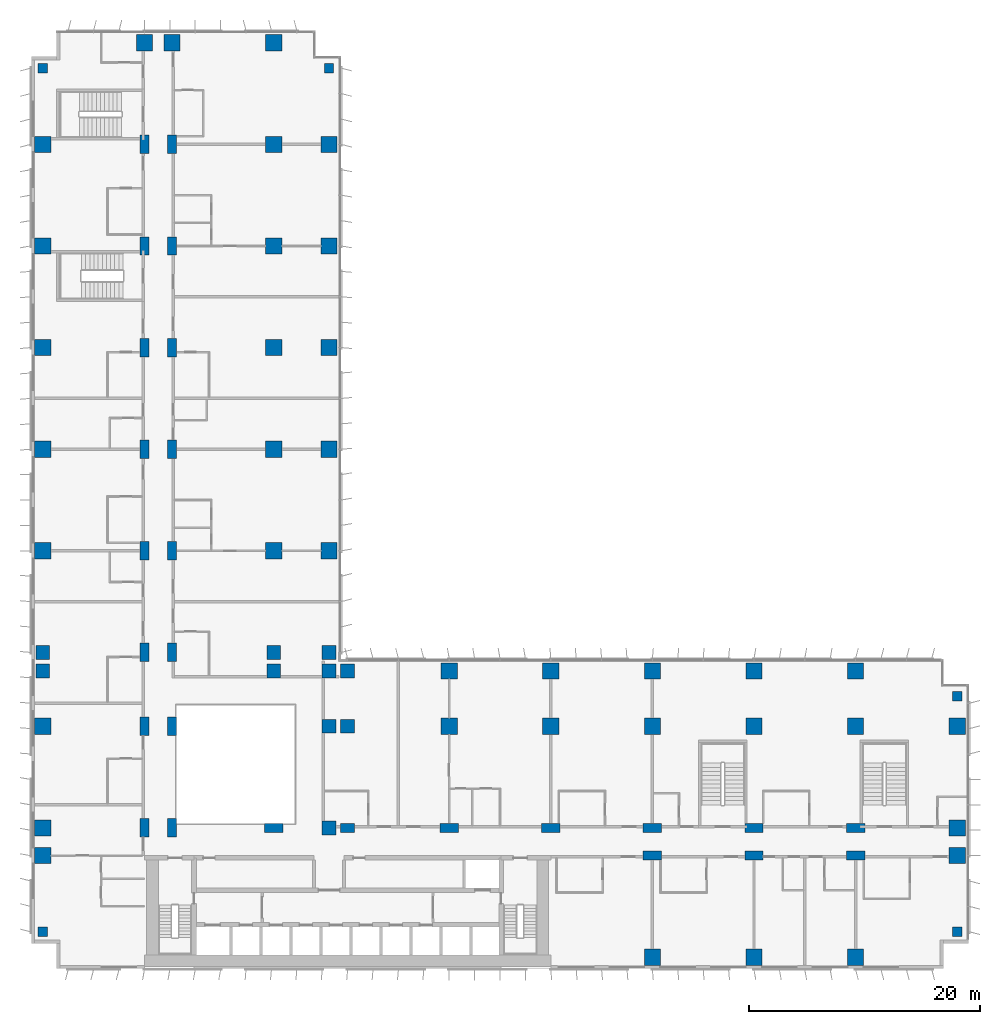
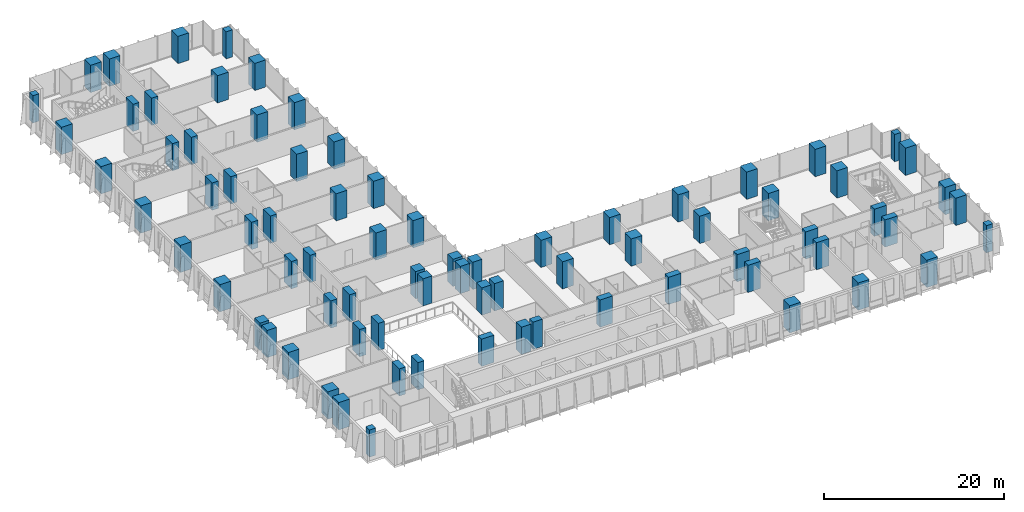
# One storey, part 1 of 24: 78 columns.
"""IFC4 building model written with IfcOpenShell, lengths in metres."""

from ifc_helpers import new_model, si_unit, direction, frame, origin, origin_2d, place, context, subcontext, project, spatial, rectangle, extrude, material, material_profile, profile_set, type_object, element, save


model = new_model("IFC4")

# Units and contexts
model_context = context("Model", 3, precision=1e-05, world=origin(), true_north=direction((0.0, 1.0)))
body_context = subcontext(model_context, "Body", "Model", "MODEL_VIEW")
ifc_project = project(units=[si_unit("LENGTHUNIT", "METRE"), si_unit("AREAUNIT", "SQUARE_METRE"), si_unit("VOLUMEUNIT", "CUBIC_METRE"), si_unit("PLANEANGLEUNIT", "RADIAN"), si_unit("MASSUNIT", "GRAM", prefix="KILO")], contexts=[model_context])

# Site, building, storey
site_placement = place(None, origin())
site = spatial("IfcSite", under=ifc_project, at=site_placement, CompositionType="ELEMENT")
building_placement = place(site_placement, origin())
building = spatial("IfcBuilding", under=site, at=building_placement, Name="Kemantara Hotel Tower", CompositionType="ELEMENT")
storey_placement = place(building_placement, frame((0.0, 0.0, 45.10009765625)))
storey = spatial("IfcBuildingStorey", under=building, at=storey_placement, Name="L09", CompositionType="ELEMENT", Elevation=45.10009765625)

# Columns
ifc_material = material(Name="Concrete fc 70 MPa", Category="concrete")
ifc_material_profile_1 = material_profile(ifc_material, rectangle(XDim=1.199951171875, YDim=1.199951171875, at=origin_2d()), Name="RC 1200X1200")
ifc_profile_set_1 = profile_set([ifc_material_profile_1], Name="Concrete fc 70 MPa")
column_type_1 = type_object("IfcColumnType", Name="RC COLUMN 1200X1200 FC70", PredefinedType="COLUMN", material=ifc_profile_set_1)
for number, where, z_axis, x_axis, name in (
    (1, (1.0, 25.800048828125, 0.0), (0.0, 0.0, 1.0), (1.0, 0.0, 0.0), "COLUMN 1/CA L09"),
    (2, (1.0, 27.39990234375, 0.0), (0.0, 0.0, 1.0), (1.0, 0.0, 0.0), "COLUMN 1/D L09"),
    (3, (21.0, 25.800048828125, 0.0), (0.0, 0.0, 1.0), (1.0, 0.0, 0.0), "COLUMN 3/CA L09"),
    (4, (21.0, 27.39990234375, 0.0), (0.0, 0.0, 1.0), (1.0, 0.0, 0.0), "COLUMN 3/D L09"),
    (5, (25.800048828125, 12.199951171875, 0.0), (0.0, 0.0, 1.0), (1.0, 0.0, 0.0), "COLUMN 3A/BA L09"),
    (6, (25.800048828125, 21.0, 0.0), (0.0, 0.0, 1.0), (1.0, 0.0, 0.0), "COLUMN 3A/C L09"),
    (7, (25.800048828125, 25.800048828125, 0.0), (0.0, 0.0, 1.0), (1.0, 0.0, 0.0), "COLUMN 3A/CA L09"),
    (8, (25.800048828125, 27.39990234375, 0.0), (0.0, 0.0, 1.0), (1.0, 0.0, 0.0), "COLUMN 3A/D L09"),
    (9, (27.39990234375, 21.0, 0.0), (0.0, 0.0, 1.0), (1.0, 0.0, 0.0), "COLUMN 4/C L09"),
    (10, (27.39990234375, 25.800048828125, 0.0), (0.0, 0.0, 1.0), (1.0, 0.0, 0.0), "COLUMN 4/CA L09"),
):
    element("IfcColumn", number, at=place(storey_placement, frame(where, z_axis=z_axis, x_axis=x_axis)), inside=storey, type_object=column_type_1, Name=name, PredefinedType="COLUMN", context=body_context, shape_type="SweptSolid", body=[
        extrude(rectangle(XDim=1.199951171875, YDim=1.199951171875, at=origin_2d()), origin(), (0.0, 0.0, 1.0), 3.699951171875),
    ])
ifc_material_profile_2 = material_profile(ifc_material, rectangle(XDim=1.199951171875, YDim=0.800048828125, at=origin_2d()), Name="RC 1200X800")
ifc_profile_set_2 = profile_set([ifc_material_profile_2], Name="Concrete fc 70 MPa")
column_type_2 = type_object("IfcColumnType", Name="RC COLUMN 1200X800 FC70", PredefinedType="COLUMN", material=ifc_profile_set_2)
column_placement = place(storey_placement, frame((27.39990234375, 12.199951171875, 0.0), z_axis=(0.0, 0.0, 1.0), x_axis=(1.0, 0.0, 0.0)))
element("IfcColumn", 11, at=column_placement, inside=storey, type_object=column_type_2, Name="COLUMN 4/BA L09", PredefinedType="COLUMN", context=body_context, shape_type="SweptSolid", body=[
    extrude(rectangle(XDim=1.199951171875, YDim=0.800048828125, at=origin_2d()), origin(), (0.0, 0.0, 1.0), 3.699951171875),
])
ifc_material_profile_3 = material_profile(ifc_material, rectangle(XDim=1.39990234375, YDim=1.39990234375, at=origin_2d()), Name="RC 1400X1400")
ifc_profile_set_3 = profile_set([ifc_material_profile_3], Name="Concrete fc 70 MPa")
column_type_3 = type_object("IfcColumnType", Name="RC COLUMN 1400X1400 FC70", PredefinedType="COLUMN", material=ifc_profile_set_3)
for number, where, z_axis, x_axis, name in (
    (12, (1.0, 9.800048828125, 0.0), (0.0, 0.0, 1.0), (1.0, 0.0, 0.0), "COLUMN 1/B L09"),
    (13, (1.0, 12.199951171875, 0.0), (0.0, 0.0, 1.0), (1.0, 0.0, 0.0), "COLUMN 1/BA L09"),
    (14, (1.0, 21.0, 0.0), (0.0, 0.0, 1.0), (1.0, 0.0, 0.0), "COLUMN 1/C L09"),
    (15, (1.0, 36.199951171875, 0.0), (0.0, 0.0, 1.0), (1.0, 0.0, 0.0), "COLUMN 1/E L09"),
    (16, (1.0, 45.0, 0.0), (0.0, 0.0, 1.0), (1.0, 0.0, 0.0), "COLUMN 1/F L09"),
    (17, (1.0, 53.800048828125, 0.0), (0.0, 0.0, 1.0), (1.0, 0.0, 0.0), "COLUMN 1/G L09"),
    (18, (1.0, 62.60009765625, 0.0), (0.0, 0.0, 1.0), (1.0, 0.0, 0.0), "COLUMN 1/H L09"),
    (19, (1.0, 71.39990234375, 0.0), (0.0, 0.0, 1.0), (1.0, 0.0, 0.0), "COLUMN 1/J L09"),
    (20, (9.800048828125, 80.199951171875, 0.0), (0.0, 0.0, 1.0), (1.0, 0.0, 0.0), "COLUMN 2/K L09"),
    (21, (12.199951171875, 80.199951171875, 0.0), (0.0, 0.0, 1.0), (1.0, 0.0, 0.0), "COLUMN 2A/K L09"),
    (22, (21.0, 36.199951171875, 0.0), (0.0, 0.0, 1.0), (1.0, 0.0, 0.0), "COLUMN 3/E L09"),
    (23, (21.0, 45.0, 0.0), (0.0, 0.0, 1.0), (1.0, 0.0, 0.0), "COLUMN 3/F L09"),
    (24, (21.0, 53.800048828125, 0.0), (0.0, 0.0, 1.0), (1.0, 0.0, 0.0), "COLUMN 3/G L09"),
    (25, (21.0, 62.60009765625, 0.0), (0.0, 0.0, 1.0), (1.0, 0.0, 0.0), "COLUMN 3/H L09"),
    (26, (21.0, 71.39990234375, 0.0), (0.0, 0.0, 1.0), (1.0, 0.0, 0.0), "COLUMN 3/J L09"),
    (27, (21.0, 80.199951171875, 0.0), (0.0, 0.0, 1.0), (1.0, 0.0, 0.0), "COLUMN 3/K L09"),
    (28, (25.800048828125, 36.199951171875, 0.0), (0.0, 0.0, 1.0), (1.0, 0.0, 0.0), "COLUMN 3A/E L09"),
    (29, (25.800048828125, 45.0, 0.0), (0.0, 0.0, 1.0), (1.0, 0.0, 0.0), "COLUMN 3A/F L09"),
    (30, (25.800048828125, 53.800048828125, 0.0), (0.0, 0.0, 1.0), (1.0, 0.0, 0.0), "COLUMN 3A/G L09"),
    (31, (25.800048828125, 62.60009765625, 0.0), (0.0, 0.0, 1.0), (1.0, 0.0, 0.0), "COLUMN 3A/H L09"),
    (32, (25.800048828125, 71.39990234375, 0.0), (0.0, 0.0, 1.0), (1.0, 0.0, 0.0), "COLUMN 3A/J L09"),
    (33, (36.199951171875, 21.0, 0.0), (0.0, 0.0, 1.0), (1.0, 0.0, 0.0), "COLUMN 5/C L09"),
    (34, (36.199951171875, 25.800048828125, 0.0), (0.0, 0.0, 1.0), (1.0, 0.0, 0.0), "COLUMN 5/CA L09"),
    (35, (45.0, 21.0, 0.0), (0.0, 0.0, 1.0), (1.0, 0.0, 0.0), "COLUMN 6/C L09"),
    (36, (45.0, 25.800048828125, 0.0), (0.0, 0.0, 1.0), (1.0, 0.0, 0.0), "COLUMN 6/CA L09"),
    (37, (53.800048828125, 1.0, 0.0), (0.0, 0.0, 1.0), (1.0, 0.0, 0.0), "COLUMN 7/A L09"),
    (38, (53.800048828125, 21.0, 0.0), (0.0, 0.0, 1.0), (1.0, 0.0, 0.0), "COLUMN 7/C L09"),
    (39, (53.800048828125, 25.800048828125, 0.0), (0.0, 0.0, 1.0), (1.0, 0.0, 0.0), "COLUMN 7/CA L09"),
    (40, (62.60009765625, 1.0, 0.0), (0.0, 0.0, 1.0), (1.0, 0.0, 0.0), "COLUMN 8/A L09"),
    (41, (62.60009765625, 21.0, 0.0), (0.0, 0.0, 1.0), (1.0, 0.0, 0.0), "COLUMN 8/C L09"),
    (42, (62.60009765625, 25.800048828125, 0.0), (0.0, 0.0, 1.0), (1.0, 0.0, 0.0), "COLUMN 8/CA L09"),
    (43, (71.39990234375, 1.0, 0.0), (0.0, 0.0, 1.0), (1.0, 0.0, 0.0), "COLUMN 9/A L09"),
    (44, (71.39990234375, 21.0, 0.0), (0.0, 0.0, 1.0), (1.0, 0.0, 0.0), "COLUMN 9/C L09"),
    (45, (71.39990234375, 25.800048828125, 0.0), (0.0, 0.0, 1.0), (1.0, 0.0, 0.0), "COLUMN 9/CA L09"),
    (46, (80.199951171875, 9.800048828125, 0.0), (0.0, 0.0, 1.0), (1.0, 0.0, 0.0), "COLUMN 10/B L09"),
    (47, (80.199951171875, 12.199951171875, 0.0), (0.0, 0.0, 1.0), (1.0, 0.0, 0.0), "COLUMN 10/BA L09"),
    (48, (80.199951171875, 21.0, 0.0), (0.0, 0.0, 1.0), (1.0, 0.0, 0.0), "COLUMN 10/C L09"),
):
    element("IfcColumn", number, at=place(storey_placement, frame(where, z_axis=z_axis, x_axis=x_axis)), inside=storey, type_object=column_type_3, Name=name, PredefinedType="COLUMN", context=body_context, shape_type="SweptSolid", body=[
        extrude(rectangle(XDim=1.39990234375, YDim=1.39990234375, at=origin_2d()), origin(), (0.0, 0.0, 1.0), 3.699951171875),
    ])
ifc_material_profile_4 = material_profile(ifc_material, rectangle(XDim=1.60009765625, YDim=0.800048828125, at=origin_2d()), Name="RC 1600X800")
ifc_profile_set_4 = profile_set([ifc_material_profile_4], Name="Concrete fc 70 MPa")
column_type_4 = type_object("IfcColumnType", Name="RC COLUMN 1600X800 FC70", PredefinedType="COLUMN", material=ifc_profile_set_4)
for number, where, z_axis, x_axis, name in (
    (49, (9.800048828125, 12.199951171875, 0.0), (0.0, 0.0, 1.0), (0.0, 1.0, 0.0), "COLUMN 2/BA L09"),
    (50, (9.800048828125, 21.0, 0.0), (0.0, 0.0, 1.0), (0.0, 1.0, 0.0), "COLUMN 2/C L09"),
    (51, (9.800048828125, 27.39990234375, 0.0), (0.0, 0.0, 1.0), (0.0, 1.0, 0.0), "COLUMN 2/D L09"),
    (52, (9.800048828125, 36.199951171875, 0.0), (0.0, 0.0, 1.0), (0.0, 1.0, 0.0), "COLUMN 2/E L09"),
    (53, (9.800048828125, 45.0, 0.0), (0.0, 0.0, 1.0), (0.0, 1.0, 0.0), "COLUMN 2/F L09"),
    (54, (9.800048828125, 53.800048828125, 0.0), (0.0, 0.0, 1.0), (0.0, 1.0, 0.0), "COLUMN 2/G L09"),
    (55, (9.800048828125, 62.60009765625, 0.0), (0.0, 0.0, 1.0), (0.0, 1.0, 0.0), "COLUMN 2/H L09"),
    (56, (9.800048828125, 71.39990234375, 0.0), (0.0, 0.0, 1.0), (0.0, 1.0, 0.0), "COLUMN 2/J L09"),
    (57, (12.199951171875, 12.199951171875, 0.0), (0.0, 0.0, 1.0), (0.0, 1.0, 0.0), "COLUMN 2A/BA L09"),
    (58, (12.199951171875, 21.0, 0.0), (0.0, 0.0, 1.0), (0.0, 1.0, 0.0), "COLUMN 2A/C L09"),
    (59, (12.199951171875, 27.39990234375, 0.0), (0.0, 0.0, 1.0), (0.0, 1.0, 0.0), "COLUMN 2A/D L09"),
    (60, (12.199951171875, 36.199951171875, 0.0), (0.0, 0.0, 1.0), (0.0, 1.0, 0.0), "COLUMN 2A/E L09"),
    (61, (12.199951171875, 45.0, 0.0), (0.0, 0.0, 1.0), (0.0, 1.0, 0.0), "COLUMN 2A/F L09"),
    (62, (12.199951171875, 53.800048828125, 0.0), (0.0, 0.0, 1.0), (0.0, 1.0, 0.0), "COLUMN 2A/G L09"),
    (63, (12.199951171875, 62.60009765625, 0.0), (0.0, 0.0, 1.0), (0.0, 1.0, 0.0), "COLUMN 2A/H L09"),
    (64, (12.199951171875, 71.39990234375, 0.0), (0.0, 0.0, 1.0), (0.0, 1.0, 0.0), "COLUMN 2A/J L09"),
    (65, (21.0, 12.199951171875, 0.0), (0.0, 0.0, 1.0), (1.0, 0.0, 0.0), "COLUMN 3/BA L09"),
    (66, (36.199951171875, 12.199951171875, 0.0), (0.0, 0.0, 1.0), (1.0, 0.0, 0.0), "COLUMN 5/BA L09"),
    (67, (45.0, 12.199951171875, 0.0), (0.0, 0.0, 1.0), (1.0, 0.0, 0.0), "COLUMN 6/BA L09"),
    (68, (53.800048828125, 9.800048828125, 0.0), (0.0, 0.0, 1.0), (1.0, 0.0, 0.0), "COLUMN 7/B L09"),
    (69, (53.800048828125, 12.199951171875, 0.0), (0.0, 0.0, 1.0), (1.0, 0.0, 0.0), "COLUMN 7/BA L09"),
    (70, (62.60009765625, 9.800048828125, 0.0), (0.0, 0.0, 1.0), (1.0, 0.0, 0.0), "COLUMN 8/B L09"),
    (71, (62.60009765625, 12.199951171875, 0.0), (0.0, 0.0, 1.0), (1.0, 0.0, 0.0), "COLUMN 8/BA L09"),
    (72, (71.39990234375, 9.800048828125, 0.0), (0.0, 0.0, 1.0), (1.0, 0.0, 0.0), "COLUMN 9/B L09"),
    (73, (71.39990234375, 12.199951171875, 0.0), (0.0, 0.0, 1.0), (1.0, 0.0, 0.0), "COLUMN 9/BA L09"),
):
    element("IfcColumn", number, at=place(storey_placement, frame(where, z_axis=z_axis, x_axis=x_axis)), inside=storey, type_object=column_type_4, Name=name, PredefinedType="COLUMN", context=body_context, shape_type="SweptSolid", body=[
        extrude(rectangle(XDim=1.60009765625, YDim=0.800048828125, at=origin_2d()), origin(), (0.0, 0.0, 1.0), 3.699951171875),
    ])
ifc_material_profile_5 = material_profile(ifc_material, rectangle(XDim=0.800048828125, YDim=0.800048828125, at=origin_2d()), Name="RC 800X800")
ifc_profile_set_5 = profile_set([ifc_material_profile_5], Name="Concrete fc 70 MPa")
column_type_5 = type_object("IfcColumnType", Name="RC COLUMN 800X800 FC70", PredefinedType="COLUMN", material=ifc_profile_set_5)
for number, where, z_axis, x_axis, name in (
    (74, (1.0, 3.199951171875, 0.0), (0.0, 0.0, 1.0), (1.0, 0.0, 0.0), "COLUMN notch corner L09"),
    (75, (1.0, 78.0, 0.0), (0.0, 0.0, 1.0), (1.0, 0.0, 0.0), "COLUMN notch corner L09"),
    (76, (25.800048828125, 78.0, 0.0), (0.0, 0.0, 1.0), (1.0, 0.0, 0.0), "COLUMN notch corner L09"),
    (77, (80.199951171875, 3.199951171875, 0.0), (0.0, 0.0, 1.0), (1.0, 0.0, 0.0), "COLUMN notch corner L09"),
    (78, (80.199951171875, 23.60009765625, 0.0), (0.0, 0.0, 1.0), (1.0, 0.0, 0.0), "COLUMN notch corner L09"),
):
    element("IfcColumn", number, at=place(storey_placement, frame(where, z_axis=z_axis, x_axis=x_axis)), inside=storey, type_object=column_type_5, Name=name, PredefinedType="COLUMN", context=body_context, shape_type="SweptSolid", body=[
        extrude(rectangle(XDim=0.800048828125, YDim=0.800048828125, at=origin_2d()), origin(), (0.0, 0.0, 1.0), 3.699951171875),
    ])

save(model, "model.ifc")
